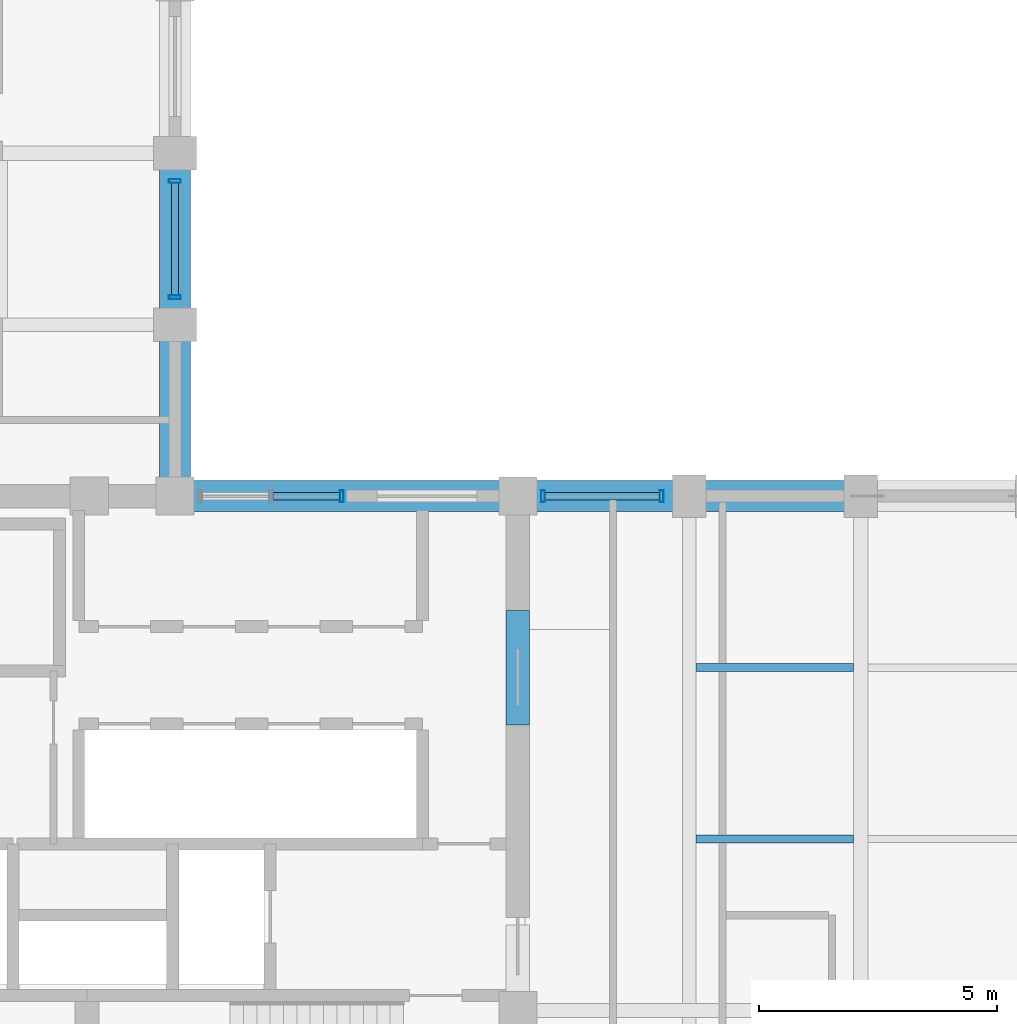
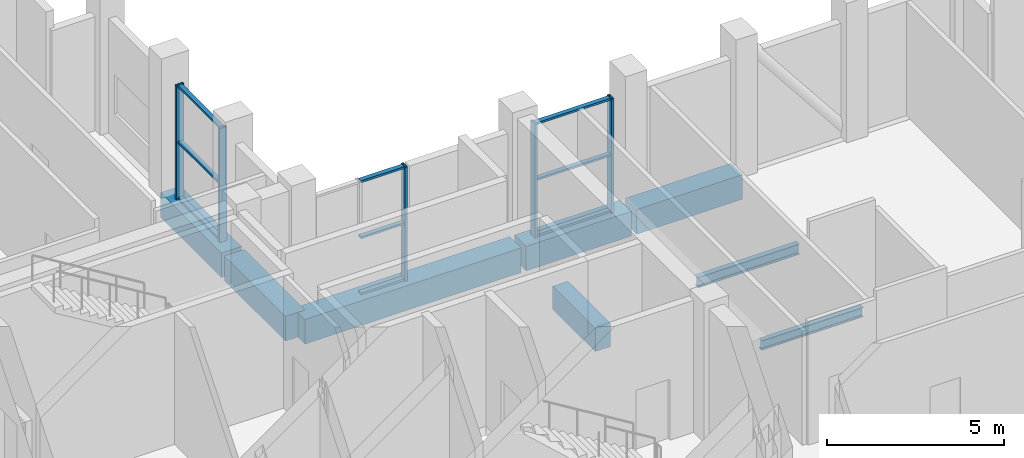
# One storey, part 7 of 16: 14 members, 8 beams, 3 elements without a shape of their own.
"""IFC4 building model written with IfcOpenShell, lengths in metres."""

from ifc_helpers import new_model, si_unit, direction, frame, origin, origin_2d, place, context, subcontext, project, spatial, rectangle, hollow_rectangle, i_section, extrude, material, layer, layer_set, material_profile, profile_set, type_object, element, aggregate, save


model = new_model("IFC4")

# Units and contexts
model_context = context("Model", 3, precision=1e-05, world=origin(), true_north=direction((0.0, 1.0)))
body_context = subcontext(model_context, "Body", "Model", "MODEL_VIEW")
ifc_project = project(units=[si_unit("LENGTHUNIT", "METRE"), si_unit("AREAUNIT", "SQUARE_METRE"), si_unit("VOLUMEUNIT", "CUBIC_METRE"), si_unit("PLANEANGLEUNIT", "RADIAN"), si_unit("MASSUNIT", "GRAM", prefix="KILO")], contexts=[model_context])

# Site, building, storey
site_placement = place(None, origin())
site = spatial("IfcSite", under=ifc_project, at=site_placement, CompositionType="ELEMENT")
building_placement = place(site_placement, origin())
building = spatial("IfcBuilding", under=site, at=building_placement, Name="Solnavia Interchange Tower", CompositionType="ELEMENT")
storey_placement = place(building_placement, frame((0.0, 0.0, 209.0)))
storey = spatial("IfcBuildingStorey", under=building, at=storey_placement, Name="L52", CompositionType="ELEMENT", Elevation=209.0)

# Beams
ifc_material_1 = material(Name="Concrete C50/60", Category="concrete")
ifc_material_profile_1 = material_profile(ifc_material_1, rectangle(XDim=0.5, YDim=0.800048828125, at=origin_2d()), Name="RC 500x800")
ifc_profile_set_1 = profile_set([ifc_material_profile_1], Name="Concrete C50/60")
beam_type_1 = type_object("IfcBeamType", Name="Beam-Coupling-RC500x800", PredefinedType="LINTEL", material=ifc_profile_set_1)
beam_1_placement = place(storey_placement, frame((32.39990234375, 20.39990234375, -0.39990234375), z_axis=(0.0, 1.0, 0.0), x_axis=(-1.0, 0.0, 0.0)))
element("IfcBeam", 1, at=beam_1_placement, inside=storey, type_object=beam_type_1, Name="CPB-L52-E2 Core coupling lintel beam", PredefinedType="LINTEL", context=body_context, shape_type="SweptSolid", body=[
    extrude(rectangle(XDim=0.5, YDim=0.800048828125, at=origin_2d()), origin(), (0.0, 0.0, 1.0), 2.400146484375),
])
ifc_material_2 = material(Name="Steel S355", Category="steel")
ifc_material_profile_2 = material_profile(ifc_material_2, i_section(OverallWidth=0.159912109375, OverallDepth=0.330078125, WebThickness=0.007568359375, FlangeThickness=0.011474609375, FilletRadius=0.01806640625, at=origin_2d()), Name="IPE 330")
ifc_profile_set_2 = profile_set([ifc_material_profile_2], Name="Steel S355")
beam_type_2 = type_object("IfcBeamType", Name="Beam-Joist-IPE330", PredefinedType="JOIST", material=ifc_profile_set_2)
beam_2_placement = place(storey_placement, frame((36.139892578125, 18.0, -0.485107421875), z_axis=(1.0, 0.0, 0.0), x_axis=(0.0, 1.0, 0.0)))
element("IfcBeam", 2, at=beam_2_placement, inside=storey, type_object=beam_type_2, Name="JST-L52-E05 East wing secondary joist", PredefinedType="JOIST", context=body_context, shape_type="SweptSolid", body=[
    extrude(i_section(OverallWidth=0.159912109375, OverallDepth=0.330078125, WebThickness=0.007568359375, FlangeThickness=0.011474609375, FilletRadius=0.01806640625, at=origin_2d()), origin(), (0.0, 0.0, 1.0), 3.31005859375),
])
ifc_material_profile_3 = material_profile(ifc_material_2, i_section(OverallWidth=0.169921875, OverallDepth=0.360107421875, WebThickness=0.008056640625, FlangeThickness=0.0126953125, FilletRadius=0.01806640625, at=origin_2d()), Name="IPE 360")
ifc_profile_set_3 = profile_set([ifc_material_profile_3], Name="Steel S355")
beam_type_3 = type_object("IfcBeamType", Name="Beam-Joist-IPE360", PredefinedType="JOIST", material=ifc_profile_set_3)
beam_3_placement = place(storey_placement, frame((36.139892578125, 21.60009765625, -0.5), z_axis=(1.0, 0.0, 0.0), x_axis=(0.0, 1.0, 0.0)))
element("IfcBeam", 3, at=beam_3_placement, inside=storey, type_object=beam_type_3, Name="JST-L52-E07 East wing secondary joist", PredefinedType="JOIST", context=body_context, shape_type="SweptSolid", body=[
    extrude(i_section(OverallWidth=0.169921875, OverallDepth=0.360107421875, WebThickness=0.008056640625, FlangeThickness=0.0126953125, FilletRadius=0.01806640625, at=origin_2d()), origin(), (0.0, 0.0, 1.0), 3.31005859375),
])
ifc_material_profile_4 = material_profile(ifc_material_1, rectangle(XDim=0.64990234375, YDim=0.85009765625, at=origin_2d()), Name="RC 650x850")
ifc_profile_set_4 = profile_set([ifc_material_profile_4], Name="Concrete C50/60")
beam_type_4 = type_object("IfcBeamType", Name="Beam-Spandrel-RC650x850", PredefinedType="SPANDREL", material=ifc_profile_set_4)
for number, where, z_axis, x_axis, name in (
    (4, (39.52001953125, 25.199951171875, -0.425048828125), (-1.0, 0.0, 0.0), (0.0, -1.0, 0.0), "SPB-L52-21 Framed-tube perimeter spandrel beam"),
    (5, (35.919921875, 25.199951171875, -0.425048828125), (-1.0, 0.0, 0.0), (0.0, -1.0, 0.0), "SPB-L52-22 Framed-tube perimeter spandrel beam"),
):
    element("IfcBeam", number, at=place(storey_placement, frame(where, z_axis=z_axis, x_axis=x_axis)), inside=storey, type_object=beam_type_4, Name=name, PredefinedType="SPANDREL", context=body_context, shape_type="SweptSolid", body=[
        extrude(rectangle(XDim=0.64990234375, YDim=0.85009765625, at=origin_2d()), origin(), (0.0, 0.0, 1.0), 3.43994140625),
    ])
beam_4_placement = place(storey_placement, frame((32.320068359375, 25.199951171875, -0.425048828125), z_axis=(-1.0, 0.0, 0.0), x_axis=(0.0, -1.0, 0.0)))
element("IfcBeam", 6, at=beam_4_placement, inside=storey, type_object=beam_type_4, Name="SPB-L52-23 Framed-tube perimeter spandrel beam", PredefinedType="SPANDREL", context=body_context, shape_type="SweptSolid", body=[
    extrude(rectangle(XDim=0.64990234375, YDim=0.85009765625, at=origin_2d()), origin(), (0.0, 0.0, 1.0), 7.0400390625),
])
beam_5_placement = place(storey_placement, frame((25.199951171875, 25.280029296875, -0.425048828125), z_axis=(0.0, 1.0, 0.0), x_axis=(-1.0, 0.0, 0.0)))
element("IfcBeam", 7, at=beam_5_placement, inside=storey, type_object=beam_type_4, Name="SPB-L52-24 Framed-tube perimeter spandrel beam", PredefinedType="SPANDREL", context=body_context, shape_type="SweptSolid", body=[
    extrude(rectangle(XDim=0.64990234375, YDim=0.85009765625, at=origin_2d()), origin(), (0.0, 0.0, 1.0), 3.43994140625),
])
beam_6_placement = place(storey_placement, frame((25.199951171875, 28.8798828125, -0.425048828125), z_axis=(0.0, 1.0, 0.0), x_axis=(-1.0, 0.0, 0.0)))
element("IfcBeam", 8, at=beam_6_placement, inside=storey, type_object=beam_type_4, Name="SPB-L52-25 Framed-tube perimeter spandrel beam", PredefinedType="SPANDREL", context=body_context, shape_type="SweptSolid", body=[
    extrude(rectangle(XDim=0.64990234375, YDim=0.85009765625, at=origin_2d()), origin(), (0.0, 0.0, 1.0), 3.440185546875),
])

# Curtain wall, members
ifc_material_3 = material(Name="Aluminium Alloy 6063-T6", Category="aluminium")
ifc_layer = layer(ifc_material_3, 0.27001953125)
ifc_layer_set = layer_set([ifc_layer], Name="Aluminium Alloy 6063-T6")
curtain_wall_type = type_object("IfcCurtainWallType", Name="CurtainWall-SkyLobby-CTW4", PredefinedType="NOTDEFINED", material=ifc_layer_set)
curtain_wall_1_placement = place(storey_placement, origin())
curtain_wall_1 = element("IfcCurtainWall", 9, at=curtain_wall_1_placement, inside=storey, type_object=curtain_wall_type, Name="CTW-L52-S24 CTW-4 curtain wall", PredefinedType="NOTDEFINED")
ifc_material_profile_5 = material_profile(ifc_material_3, hollow_rectangle(XDim=0.080078125, YDim=0.25, WallThickness=0.006103515625, at=origin_2d()), Name="ALU 250x80x6")
ifc_profile_set_5 = profile_set([ifc_material_profile_5], Name="Aluminium Alloy 6063-T6")
member_type_1 = type_object("IfcMemberType", Name="CW-Mullion-CWM-4", PredefinedType="MULLION", material=ifc_profile_set_5)
member_1_placement = place(storey_placement, frame((35.419921875, 25.199951171875, 0.0), z_axis=(0.0, 0.0, 1.0), x_axis=(-1.0, 0.0, 0.0)))
member_1 = element("IfcMember", 10, at=member_1_placement, type_object=member_type_1, Name="CTW-4 mullion 1", PredefinedType="MULLION", context=body_context, shape_type="SweptSolid", body=[
    extrude(hollow_rectangle(XDim=0.080078125, YDim=0.25, WallThickness=0.006103515625, at=origin_2d()), origin(), (0.0, 0.0, 1.0), 3.929931640625),
])
member_2_placement = place(storey_placement, frame((32.929931640625, 25.199951171875, 0.0), z_axis=(0.0, 0.0, 1.0), x_axis=(-1.0, 0.0, 0.0)))
member_2 = element("IfcMember", 11, at=member_2_placement, type_object=member_type_1, Name="CTW-4 mullion 2", PredefinedType="MULLION", context=body_context, shape_type="SweptSolid", body=[
    extrude(hollow_rectangle(XDim=0.080078125, YDim=0.25, WallThickness=0.006103515625, at=origin_2d()), origin(), (0.0, 0.0, 1.0), 3.929931640625),
])

# Curtain wall, member
curtain_wall_2_placement = place(storey_placement, origin())
curtain_wall_2 = element("IfcCurtainWall", 12, at=curtain_wall_2_placement, inside=storey, type_object=curtain_wall_type, Name="CTW-L52-S26 CTW-4 curtain wall", PredefinedType="NOTDEFINED")
member_3_placement = place(storey_placement, frame((28.699951171875, 25.199951171875, 0.0), z_axis=(0.0, 0.0, 1.0), x_axis=(-1.0, 0.0, 0.0)))
member_3 = element("IfcMember", 13, at=member_3_placement, type_object=member_type_1, Name="CTW-4 mullion 1", PredefinedType="MULLION", context=body_context, shape_type="SweptSolid", body=[
    extrude(hollow_rectangle(XDim=0.080078125, YDim=0.25, WallThickness=0.006103515625, at=origin_2d()), origin(), (0.0, 0.0, 1.0), 3.929931640625),
])

# Curtain wall, members
curtain_wall_3_placement = place(storey_placement, origin())
curtain_wall_3 = element("IfcCurtainWall", 14, at=curtain_wall_3_placement, inside=storey, type_object=curtain_wall_type, Name="CTW-L52-S28 CTW-4 curtain wall", PredefinedType="NOTDEFINED")
member_4_placement = place(storey_placement, frame((25.199951171875, 29.3798828125, 0.0), z_axis=(0.0, 0.0, 1.0), x_axis=(0.0, 1.0, 0.0)))
member_4 = element("IfcMember", 15, at=member_4_placement, type_object=member_type_1, Name="CTW-4 mullion 1", PredefinedType="MULLION", context=body_context, shape_type="SweptSolid", body=[
    extrude(hollow_rectangle(XDim=0.080078125, YDim=0.25, WallThickness=0.006103515625, at=origin_2d()), origin(), (0.0, 0.0, 1.0), 3.929931640625),
])
member_5_placement = place(storey_placement, frame((25.199951171875, 31.820068359375, 0.0), z_axis=(0.0, 0.0, 1.0), x_axis=(0.0, 1.0, 0.0)))
member_5 = element("IfcMember", 16, at=member_5_placement, type_object=member_type_1, Name="CTW-4 mullion 2", PredefinedType="MULLION", context=body_context, shape_type="SweptSolid", body=[
    extrude(hollow_rectangle(XDim=0.080078125, YDim=0.25, WallThickness=0.006103515625, at=origin_2d()), origin(), (0.0, 0.0, 1.0), 3.929931640625),
])

# Member
ifc_material_profile_6 = material_profile(ifc_material_3, hollow_rectangle(XDim=0.070068359375, YDim=0.14990234375, WallThickness=0.00439453125, at=origin_2d()), Name="ALU 150x70x4.5")
ifc_profile_set_6 = profile_set([ifc_material_profile_6], Name="Aluminium Alloy 6063-T6")
member_type_2 = type_object("IfcMemberType", Name="CW-Transom-CWT-4", PredefinedType="USERDEFINED", material=ifc_profile_set_6)
member_6_placement = place(storey_placement, frame((35.3798828125, 25.199951171875, 0.034912109375), z_axis=(-1.0, 0.0, 0.0), x_axis=(0.0, 0.0, 1.0)))
member_6 = element("IfcMember", 17, at=member_6_placement, type_object=member_type_2, Name="CTW-4 transom 1.1", ObjectType="TRANSOM", PredefinedType="USERDEFINED", context=body_context, shape_type="SweptSolid", body=[
    extrude(hollow_rectangle(XDim=0.070068359375, YDim=0.14990234375, WallThickness=0.00439453125, at=origin_2d()), origin(), (0.0, 0.0, 1.0), 2.409912109375),
])

member_7_placement = place(storey_placement, frame((35.3798828125, 25.199951171875, 1.965087890625), z_axis=(-1.0, 0.0, 0.0), x_axis=(0.0, 0.0, 1.0)))
member_7 = element("IfcMember", 18, at=member_7_placement, type_object=member_type_2, Name="CTW-4 transom 1.2", ObjectType="TRANSOM", PredefinedType="USERDEFINED", context=body_context, shape_type="SweptSolid", body=[
    extrude(hollow_rectangle(XDim=0.070068359375, YDim=0.14990234375, WallThickness=0.00439453125, at=origin_2d()), origin(), (0.0, 0.0, 1.0), 2.409912109375),
])

member_8_placement = place(storey_placement, frame((35.3798828125, 25.199951171875, 3.89501953125), z_axis=(-1.0, 0.0, 0.0), x_axis=(0.0, 0.0, 1.0)))
member_8 = element("IfcMember", 19, at=member_8_placement, type_object=member_type_2, Name="CTW-4 transom 1.3", ObjectType="TRANSOM", PredefinedType="USERDEFINED", context=body_context, shape_type="SweptSolid", body=[
    extrude(hollow_rectangle(XDim=0.070068359375, YDim=0.14990234375, WallThickness=0.00439453125, at=origin_2d()), origin(), (0.0, 0.0, 1.0), 2.409912109375),
])

aggregate(curtain_wall_1, [member_1, member_2, member_6, member_7, member_8])

member_9_placement = place(storey_placement, frame((28.659912109375, 25.199951171875, 0.034912109375), z_axis=(-1.0, 0.0, 0.0), x_axis=(0.0, 0.0, 1.0)))
member_9 = element("IfcMember", 20, at=member_9_placement, type_object=member_type_2, Name="CTW-4 transom 1.1", ObjectType="TRANSOM", PredefinedType="USERDEFINED", context=body_context, shape_type="SweptSolid", body=[
    extrude(hollow_rectangle(XDim=0.070068359375, YDim=0.14990234375, WallThickness=0.00439453125, at=origin_2d()), origin(), (0.0, 0.0, 1.0), 1.405029296875),
])

member_10_placement = place(storey_placement, frame((28.659912109375, 25.199951171875, 1.965087890625), z_axis=(-1.0, 0.0, 0.0), x_axis=(0.0, 0.0, 1.0)))
member_10 = element("IfcMember", 21, at=member_10_placement, type_object=member_type_2, Name="CTW-4 transom 1.2", ObjectType="TRANSOM", PredefinedType="USERDEFINED", context=body_context, shape_type="SweptSolid", body=[
    extrude(hollow_rectangle(XDim=0.070068359375, YDim=0.14990234375, WallThickness=0.00439453125, at=origin_2d()), origin(), (0.0, 0.0, 1.0), 1.405029296875),
])

member_11_placement = place(storey_placement, frame((28.659912109375, 25.199951171875, 3.89501953125), z_axis=(-1.0, 0.0, 0.0), x_axis=(0.0, 0.0, 1.0)))
member_11 = element("IfcMember", 22, at=member_11_placement, type_object=member_type_2, Name="CTW-4 transom 1.3", ObjectType="TRANSOM", PredefinedType="USERDEFINED", context=body_context, shape_type="SweptSolid", body=[
    extrude(hollow_rectangle(XDim=0.070068359375, YDim=0.14990234375, WallThickness=0.00439453125, at=origin_2d()), origin(), (0.0, 0.0, 1.0), 1.405029296875),
])

aggregate(curtain_wall_2, [member_3, member_9, member_10, member_11])

member_12_placement = place(storey_placement, frame((25.199951171875, 29.419921875, 0.034912109375), z_axis=(0.0, 1.0, 0.0), x_axis=(0.0, 0.0, 1.0)))
member_12 = element("IfcMember", 23, at=member_12_placement, type_object=member_type_2, Name="CTW-4 transom 1.1", ObjectType="TRANSOM", PredefinedType="USERDEFINED", context=body_context, shape_type="SweptSolid", body=[
    extrude(hollow_rectangle(XDim=0.070068359375, YDim=0.14990234375, WallThickness=0.00439453125, at=origin_2d()), origin(), (0.0, 0.0, 1.0), 2.360107421875),
])

member_13_placement = place(storey_placement, frame((25.199951171875, 29.419921875, 1.965087890625), z_axis=(0.0, 1.0, 0.0), x_axis=(0.0, 0.0, 1.0)))
member_13 = element("IfcMember", 24, at=member_13_placement, type_object=member_type_2, Name="CTW-4 transom 1.2", ObjectType="TRANSOM", PredefinedType="USERDEFINED", context=body_context, shape_type="SweptSolid", body=[
    extrude(hollow_rectangle(XDim=0.070068359375, YDim=0.14990234375, WallThickness=0.00439453125, at=origin_2d()), origin(), (0.0, 0.0, 1.0), 2.360107421875),
])

member_14_placement = place(storey_placement, frame((25.199951171875, 29.419921875, 3.89501953125), z_axis=(0.0, 1.0, 0.0), x_axis=(0.0, 0.0, 1.0)))
member_14 = element("IfcMember", 25, at=member_14_placement, type_object=member_type_2, Name="CTW-4 transom 1.3", ObjectType="TRANSOM", PredefinedType="USERDEFINED", context=body_context, shape_type="SweptSolid", body=[
    extrude(hollow_rectangle(XDim=0.070068359375, YDim=0.14990234375, WallThickness=0.00439453125, at=origin_2d()), origin(), (0.0, 0.0, 1.0), 2.360107421875),
])

aggregate(curtain_wall_3, [member_4, member_5, member_12, member_13, member_14])

save(model, "model.ifc")
